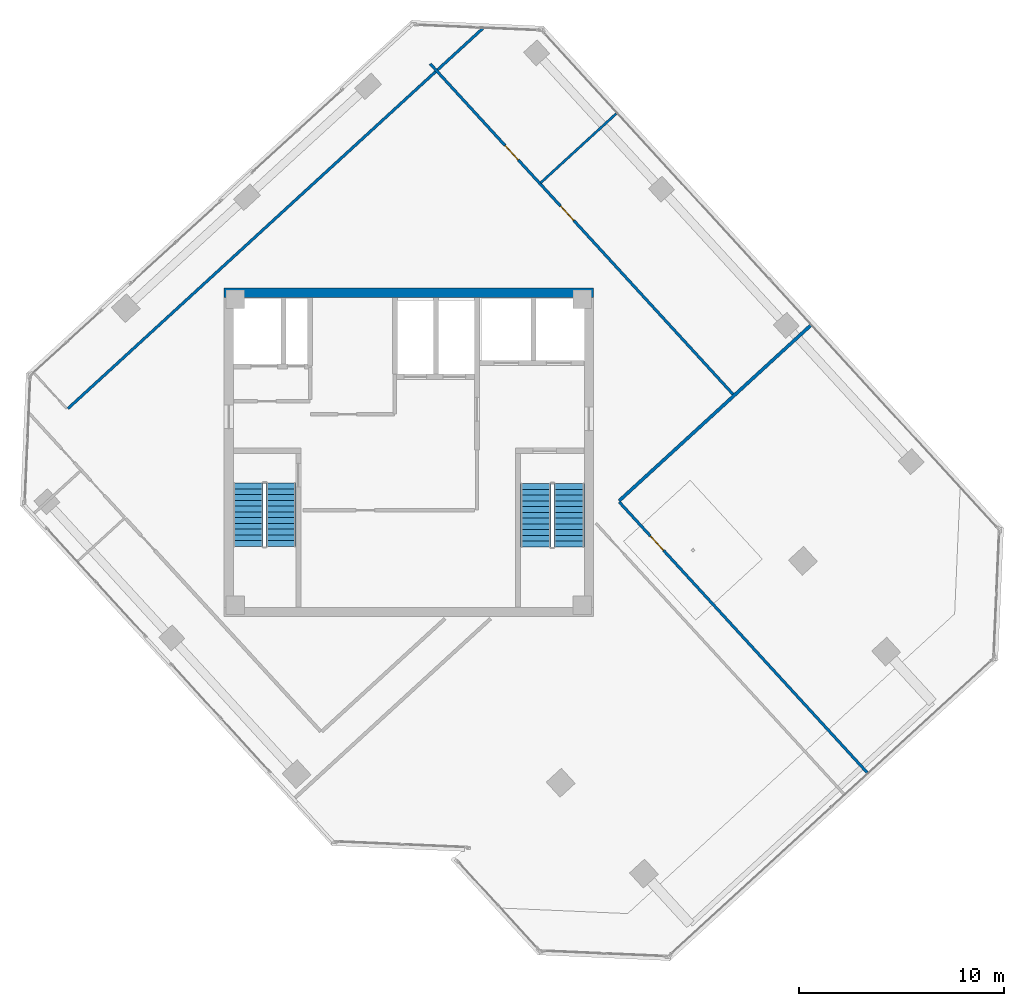
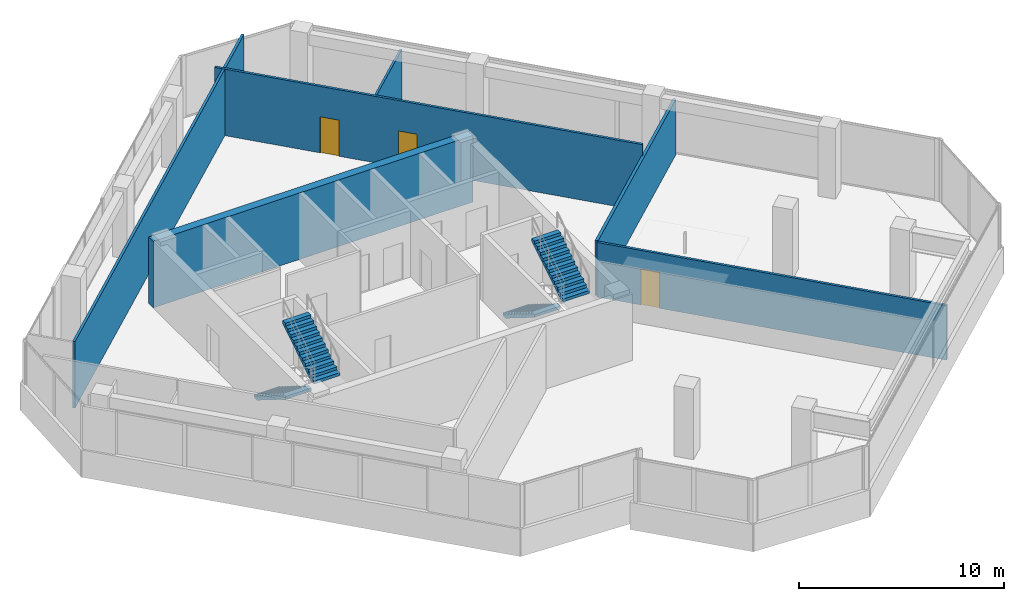
# One storey, part 14 of 18: 6 walls, 4 stair flights, 3 doors, 3 openings, 2 elements without a shape of their own.
"""IFC4 building model written with IfcOpenShell, lengths in metres."""

import ifcopenshell
import ifcopenshell.guid

model = None  # the IFC model being written
_history = None  # IfcOwnerHistory: only IFC2X3 demands one
_inside = {}  # id of a spatial element -> (the spatial element, [elements in it])
_under = {}  # id of a project, library or spatial element -> (it, [spatial elements below it])
_declared = {}  # id of a project -> (the project, [libraries it declares])
_typed = {}  # id of a type object -> (the type object, [elements of that type])
_made_of = {}  # id of a material, layer set ... -> (it, [elements and type objects made of it])


def new_model(schema):
    """Start an empty IFC model of exactly this schema.

    Asked for "IFC4X3", IfcOpenShell would pick the latest addendum, in which some entities
    have other attributes; the version numbers below select the first issue.
    IFC2X3 requires an IfcOwnerHistory on every rooted entity: one is made here for all.
    """
    global model, _history
    if schema == "IFC4X3":
        model = ifcopenshell.file(schema_version=(4, 3, 0, 0))
    else:
        model = ifcopenshell.file(schema=schema)
    _inside.clear()
    _under.clear()
    _declared.clear()
    _typed.clear()
    _made_of.clear()
    _history = None
    if model.schema == "IFC2X3":
        org = make("IfcOrganization", Name="unknown")
        user = make(
            "IfcPersonAndOrganization",
            ThePerson=make("IfcPerson", FamilyName="unknown"),
            TheOrganization=org,
        )
        app = make(
            "IfcApplication",
            ApplicationDeveloper=org,
            Version="unknown",
            ApplicationFullName="unknown",
            ApplicationIdentifier="unknown",
        )
        _history = make(
            "IfcOwnerHistory",
            OwningUser=user,
            OwningApplication=app,
            ChangeAction="ADDED",
            CreationDate=0,
        )
    return model


def make(cls, **values):
    """One entity of the class cls with the attributes given. An attribute that is None is left unset."""
    return model.create_entity(
        cls, **{name: value for name, value in values.items() if value is not None}
    )


def rooted(cls, **values):
    """An entity with a GlobalId (a new one), such as an element, a storey or a relation."""
    return make(cls, GlobalId=ifcopenshell.guid.new(), OwnerHistory=_history, **values)


def si_unit(unit_type, name, prefix=None):
    """IfcSIUnit, for example si_unit("LENGTHUNIT", "METRE", prefix="MILLI")."""
    return make("IfcSIUnit", UnitType=unit_type, Prefix=prefix, Name=name)


def assignment(units):
    """IfcUnitAssignment: the units of a project."""
    return None if units is None else make("IfcUnitAssignment", Units=units)


def point(xyz):
    """IfcCartesianPoint."""
    return None if xyz is None else make("IfcCartesianPoint", Coordinates=xyz)


def direction(xyz):
    """IfcDirection."""
    return None if xyz is None else make("IfcDirection", DirectionRatios=xyz)


def frame(location, z_axis=None, x_axis=None):
    """IfcAxis2Placement3D, a coordinate frame: its origin and axes. An axis left out is left unset."""
    return make(
        "IfcAxis2Placement3D",
        Location=point(location),
        Axis=direction(z_axis),
        RefDirection=direction(x_axis),
    )


def frame_2d(location, x_axis=None):
    """IfcAxis2Placement2D, a coordinate frame in the plane: its origin and x axis."""
    return make(
        "IfcAxis2Placement2D", Location=point(location), RefDirection=direction(x_axis)
    )


def origin():
    """The frame at (0, 0, 0) with its axes left unset."""
    return frame((0.0, 0.0, 0.0))


def place(relative_to, where):
    """IfcLocalPlacement: puts the frame where relative to a parent placement (None: the world)."""
    return make(
        "IfcLocalPlacement", PlacementRelTo=relative_to, RelativePlacement=where
    )


def context(
    kind, dimensions, precision=None, world=None, true_north=None, identifier=None
):
    """IfcGeometricRepresentationContext, for example the 3D "Model" context."""
    return make(
        "IfcGeometricRepresentationContext",
        ContextIdentifier=identifier,
        ContextType=kind,
        CoordinateSpaceDimension=dimensions,
        Precision=precision,
        WorldCoordinateSystem=world,
        TrueNorth=true_north,
    )


def subcontext(parent, identifier, kind, view, scale=None):
    """IfcGeometricRepresentationSubContext, for example "Body" below "Model"."""
    return make(
        "IfcGeometricRepresentationSubContext",
        ContextIdentifier=identifier,
        ContextType=kind,
        ParentContext=parent,
        TargetScale=scale,
        TargetView=view,
    )


def project(units=None, contexts=None):
    """IfcProject with its units and contexts."""
    return rooted(
        "IfcProject",
        Name="project",
        RepresentationContexts=contexts,
        UnitsInContext=assignment(units),
    )


def spatial(cls, under=None, at=None, **own):
    """A site, building, storey or space (cls), placed at a placement, below another one or the project."""
    s = rooted(cls, ObjectPlacement=at, **own)
    if under is not None:
        _under.setdefault(under.id(), (under, []))[1].append(s)
    return s


def polyline(points):
    """IfcPolyline through the points."""
    return make("IfcPolyline", Points=[point(p) for p in points])


def profile(cls, at=None, kind="AREA", **sizes):
    """A parametric profile (cls). Its sizes go by their IFC names, for example OverallWidth=200.0."""
    return make(cls, ProfileType=kind, Position=at, **sizes)


def rectangle(**sizes):
    """IfcRectangleProfileDef."""
    return profile("IfcRectangleProfileDef", **sizes)


def outline(outer, holes=None, kind="AREA"):
    """IfcArbitraryClosedProfileDef: a profile drawn as a closed curve; with holes, ...WithVoids."""
    if holes is None:
        return make("IfcArbitraryClosedProfileDef", ProfileType=kind, OuterCurve=outer)
    return make(
        "IfcArbitraryProfileDefWithVoids",
        ProfileType=kind,
        OuterCurve=outer,
        InnerCurves=holes,
    )


def extrude(swept, where, along, depth):
    """IfcExtrudedAreaSolid: the profile swept, set in the frame where, extruded along a direction by depth."""
    return make(
        "IfcExtrudedAreaSolid",
        SweptArea=swept,
        Position=where,
        ExtrudedDirection=direction(along),
        Depth=depth,
    )


def shape(context_of_items, identifier, shape_type, items):
    """IfcShapeRepresentation: the items that make up one representation, for example the "Body"."""
    return make(
        "IfcShapeRepresentation",
        ContextOfItems=context_of_items,
        RepresentationIdentifier=identifier,
        RepresentationType=shape_type,
        Items=items,
    )


def source(mapping_origin, context_of_items, identifier, shape_type, items):
    """IfcRepresentationMap: a shape defined once, which mapped items show again and again."""
    return make(
        "IfcRepresentationMap",
        MappingOrigin=mapping_origin,
        MappedRepresentation=shape(context_of_items, identifier, shape_type, items),
    )


def transform(
    local_origin,
    x_axis=None,
    y_axis=None,
    z_axis=None,
    scale=None,
    scale2=None,
    scale3=None,
    uniform=True,
):
    """IfcCartesianTransformationOperator3D, or its non-uniform kind. x_axis, y_axis, z_axis: its Axis1, 2, 3."""
    if uniform:
        return make(
            "IfcCartesianTransformationOperator3D",
            Axis1=direction(x_axis),
            Axis2=direction(y_axis),
            LocalOrigin=point(local_origin),
            Scale=scale,
            Axis3=direction(z_axis),
        )
    return make(
        "IfcCartesianTransformationOperator3DnonUniform",
        Axis1=direction(x_axis),
        Axis2=direction(y_axis),
        LocalOrigin=point(local_origin),
        Scale=scale,
        Axis3=direction(z_axis),
        Scale2=scale2,
        Scale3=scale3,
    )


def mapped(mapping_source, mapping_target):
    """IfcMappedItem: shows the shape of a source again, moved by a transform."""
    return make(
        "IfcMappedItem", MappingSource=mapping_source, MappingTarget=mapping_target
    )


def material(Name=None, Category=None):
    """IfcMaterial."""
    return make("IfcMaterial", Name=Name, Category=Category)


def layer(
    of_material, thickness, ventilated=None, Name=None, Category=None, Priority=None
):
    """IfcMaterialLayer: one layer of a wall or slab, of a material (None: an air gap)."""
    return make(
        "IfcMaterialLayer",
        Material=of_material,
        LayerThickness=thickness,
        IsVentilated=ventilated,
        Name=Name,
        Category=Category,
        Priority=Priority,
    )


def layer_set(layers, Name=None):
    """IfcMaterialLayerSet."""
    return make("IfcMaterialLayerSet", MaterialLayers=layers, LayerSetName=Name)


def made_of(thing, what):
    """Note that an element or type object is made of a material, layer set ...; save() writes the relation."""
    if what is not None:
        _made_of.setdefault(what.id(), (what, []))[1].append(thing)
    return thing


def type_object(cls, material=None, **own):
    """A type object (cls), such as IfcWallType, which elements share."""
    return made_of(rooted(cls, **own), material)


def element(
    cls,
    number,
    at=None,
    inside=None,
    cuts=None,
    type_object=None,
    material=None,
    context=None,
    identifier="Body",
    shape_type=None,
    held_by="IfcProductDefinitionShape",
    body=None,
    shapes=None,
    **own,
):
    """One element of the class cls, such as IfcWall. Its Tag is "e" and its number.

    at: its placement. inside: the storey or other place that contains it. cuts: it is an
    opening in that element (IfcRelVoidsElement). A single representation is given by context,
    identifier, shape_type and body (its items); several are given by shapes. held_by: the class
    of the entity that holds the representations. save() writes the other relations.
    """
    e = rooted(cls, Tag="e%d" % number, ObjectPlacement=at, **own)
    if body is not None:
        shapes = [shape(context, identifier, shape_type, body)]
    if shapes is not None:
        e.Representation = make(held_by, Representations=shapes)
    if inside is not None:
        _inside.setdefault(inside.id(), (inside, []))[1].append(e)
    if cuts is not None:
        rooted(
            "IfcRelVoidsElement", RelatingBuildingElement=cuts, RelatedOpeningElement=e
        )
    if type_object is not None:
        _typed.setdefault(type_object.id(), (type_object, []))[1].append(e)
    return made_of(e, material)


def fill(opening, filler):
    """IfcRelFillsElement: the door or window that sits in an opening."""
    return rooted(
        "IfcRelFillsElement",
        RelatingOpeningElement=opening,
        RelatedBuildingElement=filler,
    )


def aggregate(whole, parts):
    """IfcRelAggregates: a whole, such as a stair, and the parts it consists of."""
    return rooted("IfcRelAggregates", RelatingObject=whole, RelatedObjects=parts)


def save(model, path):
    """Write the relations noted so far, then the file.

    IfcRelAggregates (storeys below a building ...), IfcRelContainedInSpatialStructure (elements
    in a storey), IfcRelDefinesByType, IfcRelAssociatesMaterial and IfcRelDeclares: one each for
    every whole, place, type object, material and project.
    """
    for whole, parts in _under.values():
        aggregate(whole, parts)
    for where, things in _inside.values():
        rooted(
            "IfcRelContainedInSpatialStructure",
            RelatedElements=things,
            RelatingStructure=where,
        )
    for kind, things in _typed.values():
        rooted("IfcRelDefinesByType", RelatedObjects=things, RelatingType=kind)
    for what, things in _made_of.values():
        rooted("IfcRelAssociatesMaterial", RelatedObjects=things, RelatingMaterial=what)
    for by, libraries in _declared.values():
        rooted("IfcRelDeclares", RelatingContext=by, RelatedDefinitions=libraries)
    model.write(path)


model = new_model("IFC4")

# Units and contexts
model_context = context("Model", 3, precision=1e-05, world=origin(), true_north=direction((0.0, 1.0)))
body_context = subcontext(model_context, "Body", "Model", "MODEL_VIEW")
ifc_project = project(units=[si_unit("LENGTHUNIT", "METRE"), si_unit("AREAUNIT", "SQUARE_METRE"), si_unit("VOLUMEUNIT", "CUBIC_METRE"), si_unit("PLANEANGLEUNIT", "RADIAN"), si_unit("MASSUNIT", "GRAM", prefix="KILO")], contexts=[model_context])

# Site, building, storey
site_placement = place(None, origin())
site = spatial("IfcSite", under=ifc_project, at=site_placement, CompositionType="ELEMENT")
building_placement = place(site_placement, origin())
building = spatial("IfcBuilding", under=site, at=building_placement, Name="Torre Montelarca", CompositionType="ELEMENT")
storey_placement = place(building_placement, frame((0.0, 0.0, 258.39990234375)))
storey = spatial("IfcBuildingStorey", under=building, at=storey_placement, Name="L58", CompositionType="ELEMENT", Elevation=258.39990234375)

# Walls
ifc_material_1 = material(Name="Concrete C55/67", Category="concrete")
ifc_layer_1 = layer(ifc_material_1, 0.449951171875, Name="Concrete C55/67", Category="concrete")
ifc_layer_set_1 = layer_set([ifc_layer_1], Name="Concrete C55/67")
wall_type_1 = type_object("IfcWallType", Name="CW-SHEAR-450", PredefinedType="SHEAR", material=ifc_layer_set_1)
wall_1_placement = place(storey_placement, frame((9.0, 39.77490234375, 0.0), z_axis=(0.0, 0.0, 1.0), x_axis=(1.0, 0.0, 0.0)))
element("IfcWall", 1, at=wall_1_placement, inside=storey, type_object=wall_type_1, Name="L58 Core Shear Wall CW-N1", PredefinedType="SHEAR", context=body_context, shape_type="SweptSolid", body=[
    extrude(rectangle(XDim=18.0, YDim=0.449951171875, at=frame_2d((9.0, 0.0))), origin(), (0.0, 0.0, 1.0), 3.960205078125),
])
ifc_material_2 = material(Name="Gypsum plasterboard on steel stud", Category="steel")
ifc_layer_2 = layer(ifc_material_2, 0.159912109375, Name="Gypsum plasterboard on steel stud", Category="steel")
ifc_layer_set_2 = layer_set([ifc_layer_2], Name="Gypsum plasterboard on steel stud")
wall_type_2 = type_object("IfcWallType", Name="PW-FIRE-160", PredefinedType="PARTITIONING", material=ifc_layer_set_2)
wall_2_placement = place(storey_placement, frame((28.248291015625, 29.638671875, 0.0), z_axis=(0.0, 0.0, 1.0), x_axis=(0.73728000412, 0.675587296746, 0.0)))
element("IfcWall", 2, at=wall_2_placement, inside=storey, type_object=wall_type_2, Name="L58 Interior Partition W-L58-ECN", PredefinedType="PARTITIONING", context=body_context, shape_type="SweptSolid", body=[
    extrude(rectangle(XDim=12.639892578125, YDim=0.159912109375, at=frame_2d((6.31982421875, 0.0))), origin(), (0.0, 0.0, 1.0), 3.295166015625),
])
ifc_layer_3 = layer(ifc_material_2, 0.114990234375, Name="Gypsum plasterboard on steel stud", Category="steel")
ifc_layer_set_3 = layer_set([ifc_layer_3], Name="Gypsum plasterboard on steel stud")
wall_type_3 = type_object("IfcWallType", Name="PW-PART-115", PredefinedType="PARTITIONING", material=ifc_layer_set_3)
wall_3_placement = place(storey_placement, frame((24.415283203125, 45.115234375, 0.0), z_axis=(0.0, 0.0, 1.0), x_axis=(0.737279537385, 0.675587806101, 0.0)))
element("IfcWall", 3, at=wall_3_placement, inside=storey, type_object=wall_type_3, Name="L58 Interior Partition W-L58-NDIV-1", PredefinedType="PARTITIONING", context=body_context, shape_type="SweptSolid", body=[
    extrude(rectangle(XDim=5.010009765625, YDim=0.114990234375, at=frame_2d((2.5048828125, 0.0))), origin(), (0.0, 0.0, 1.0), 3.295166015625),
])

# Wall, openings, doors
ifc_layer_4 = layer(ifc_material_2, 0.135009765625, Name="Gypsum plasterboard on steel stud", Category="steel")
ifc_layer_set_4 = layer_set([ifc_layer_4], Name="Gypsum plasterboard on steel stud")
wall_type_4 = type_object("IfcWallType", Name="PW-PART-135", PredefinedType="PARTITIONING", material=ifc_layer_set_4)
wall_4_placement = place(storey_placement, frame((19.0419921875, 50.920166015625, 0.0), z_axis=(0.0, 0.0, 1.0), x_axis=(0.675589646996, -0.737277850523, 0.0)))
wall_4 = element("IfcWall", 4, at=wall_4_placement, inside=storey, type_object=wall_type_4, Name="L58 Interior Partition W-L58-NBOT", PredefinedType="PARTITIONING", context=body_context, shape_type="SweptSolid", body=[
    extrude(rectangle(XDim=21.8701171875, YDim=0.135009765625, at=frame_2d((10.93505859375, 0.0))), origin(), (0.0, 0.0, 1.0), 3.960205078125),
])
opening_1_placement = place(wall_4_placement, frame((5.39990234375, 0.0, 0.0)))
opening_1 = element("IfcOpeningElement", 5, at=opening_1_placement, cuts=wall_4, Name="Opening ID-095", PredefinedType="OPENING", context=body_context, shape_type="SweptSolid", body=[
    extrude(rectangle(XDim=0.949951171875, YDim=2.14990234375, at=frame_2d((0.47509765625, 1.074951171875))), frame((0.0, 0.07763671875, 0.0), z_axis=(0.0, -1.0, 0.0), x_axis=(1.0, 0.0, 0.0)), (0.0, 0.0, 1.0), 0.155029296875),
])
opening_2_placement = place(wall_4_placement, frame((9.39990234375, 0.0, 0.0)))
opening_2 = element("IfcOpeningElement", 6, at=opening_2_placement, cuts=wall_4, Name="Opening ID-095", PredefinedType="OPENING", context=body_context, shape_type="SweptSolid", body=[
    extrude(rectangle(XDim=0.949951171875, YDim=2.14990234375, at=frame_2d((0.47509765625, 1.074951171875))), frame((0.0, 0.07763671875, 0.0), z_axis=(0.0, -1.0, 0.0), x_axis=(1.0, 0.0, 0.0)), (0.0, 0.0, 1.0), 0.155029296875),
])
ifc_material_3 = material(Name="Hardwood acoustic timber veneer", Category="wood")
door_type = type_object("IfcDoorType", Name="DR-INT-095", OperationType="NOTDEFINED", PredefinedType="DOOR", material=ifc_material_3)
shared_shape = source(origin(), body_context, "Body", "SweptSolid", [
    extrude(rectangle(XDim=0.949951171875, YDim=2.14990234375, at=frame_2d((0.47509765625, 1.074951171875))), frame((0.0, 0.02490234375, 0.0), z_axis=(0.0, -1.0, 0.0), x_axis=(1.0, 0.0, 0.0)), (0.0, 0.0, 1.0), 0.050048828125),
])
door_1_placement = place(opening_1_placement, origin())
door_1 = element("IfcDoor", 7, at=door_1_placement, inside=storey, type_object=door_type, Name="L58 Interior Door 07", OperationType="SINGLE_SWING_LEFT", OverallHeight=2.14990234375, OverallWidth=0.949951171875, PredefinedType="DOOR", context=body_context, shape_type="MappedRepresentation", body=[
    mapped(shared_shape, transform((0.0, 0.0, 0.0), scale=1.0)),
])
fill(opening_1, door_1)
door_2_placement = place(opening_2_placement, origin())
door_2 = element("IfcDoor", 8, at=door_2_placement, inside=storey, type_object=door_type, Name="L58 Interior Door 08", OperationType="SINGLE_SWING_RIGHT", OverallHeight=2.14990234375, OverallWidth=0.949951171875, PredefinedType="DOOR", context=body_context, shape_type="MappedRepresentation", body=[
    mapped(shared_shape, transform((0.0, 0.0, 0.0), scale=1.0)),
])
fill(opening_2, door_2)

# Wall
wall_5_placement = place(storey_placement, frame((1.392578125, 34.12353515625, 0.0), z_axis=(0.0, 0.0, 1.0), x_axis=(0.737274323436, 0.675593496121, 0.0)))
element("IfcWall", 9, at=wall_5_placement, inside=storey, type_object=wall_type_4, Name="L58 Interior Partition W-L58-WPKE", PredefinedType="PARTITIONING", context=body_context, shape_type="SweptSolid", body=[
    extrude(rectangle(XDim=27.402099609375, YDim=0.135009765625, at=frame_2d((13.701171875, 0.0))), origin(), (0.0, 0.0, 1.0), 3.960205078125),
])

# Wall, opening, door
wall_6_placement = place(storey_placement, frame((28.24560546875, 29.58203125, 0.0), z_axis=(0.0, 0.0, 1.0), x_axis=(0.67559539026, -0.737272587758, 0.0)))
wall_6 = element("IfcWall", 10, at=wall_6_placement, inside=storey, type_object=wall_type_4, Name="L58 Interior Partition W-L58-NE-S", PredefinedType="PARTITIONING", context=body_context, shape_type="SweptSolid", body=[
    extrude(rectangle(XDim=17.8798828125, YDim=0.135009765625, at=frame_2d((8.93994140625, 0.0))), origin(), (0.0, 0.0, 1.0), 3.252685546875),
])
opening_3_placement = place(wall_6_placement, frame((2.25, 0.0, 0.0)))
opening_3 = element("IfcOpeningElement", 11, at=opening_3_placement, cuts=wall_6, Name="Opening ID-095", PredefinedType="OPENING", context=body_context, shape_type="SweptSolid", body=[
    extrude(rectangle(XDim=0.949951171875, YDim=2.14990234375, at=frame_2d((0.47509765625, 1.074951171875))), frame((0.0, 0.07763671875, 0.0), z_axis=(0.0, -1.0, 0.0), x_axis=(1.0, 0.0, 0.0)), (0.0, 0.0, 1.0), 0.155029296875),
])
door_3_placement = place(opening_3_placement, origin())
door_3 = element("IfcDoor", 12, at=door_3_placement, inside=storey, type_object=door_type, Name="L58 Interior Door 10", OperationType="SINGLE_SWING_LEFT", OverallHeight=2.14990234375, OverallWidth=0.949951171875, PredefinedType="DOOR", context=body_context, shape_type="MappedRepresentation", body=[
    mapped(shared_shape, transform((0.0, 0.0, 0.0), scale=1.0)),
])
fill(opening_3, door_3)

# Stair, stair flights
ifc_material_4 = material(Name="Concrete C40/50", Category="concrete")
stair_type_1 = type_object("IfcStairType", Name="ST-CORE-ST1", PredefinedType="HALF_TURN_STAIR", material=ifc_material_4)
stair_1_placement = place(storey_placement, origin())
stair_1 = element("IfcStair", 13, at=stair_1_placement, inside=storey, type_object=stair_type_1, Name="L58 Protected Exit Stair ST1", PredefinedType="HALF_TURN_STAIR")
stair_flight_type_1 = type_object("IfcStairFlightType", Name="SFL-CORE-ST1", PredefinedType="STRAIGHT", material=ifc_material_4)
stair_flight_1_placement = place(storey_placement, frame((10.175048828125, 30.5, 0.0), z_axis=(0.0, 0.0, 1.0), x_axis=(0.0, -1.0, 0.0)))
stair_flight_1 = element("IfcStairFlight", 14, at=stair_flight_1_placement, type_object=stair_flight_type_1, Name="ST1 flight 1", NumberOfRisers=12, NumberOfTreads=11, PredefinedType="STRAIGHT", RiserHeight=0.175, TreadLength=0.28, context=body_context, shape_type="SweptSolid", body=[
    extrude(outline(polyline([(0.0, 0.0), (0.0, 0.175048828125), (0.280029296875, 0.175048828125), (0.280029296875, 0.35009765625), (0.56005859375, 0.35009765625), (0.56005859375, 0.52490234375), (0.840087890625, 0.52490234375), (0.840087890625, 0.699951171875), (1.1201171875, 0.699951171875), (1.1201171875, 0.875), (1.39990234375, 0.875), (1.39990234375, 1.050048828125), (1.679931640625, 1.050048828125), (1.679931640625, 1.22509765625), (1.9599609375, 1.22509765625), (1.9599609375, 1.39990234375), (2.239990234375, 1.39990234375), (2.239990234375, 1.574951171875), (2.52001953125, 1.574951171875), (2.52001953125, 1.75), (2.800048828125, 1.75), (2.800048828125, 1.925048828125), (3.080078125, 1.925048828125), (3.080078125, 2.10009765625), (3.080078125, 1.748291015625), (0.28271484375, 0.0), (0.0, 0.0)])), frame((0.0, 0.72509765625, 0.0), z_axis=(0.0, -1.0, 0.0), x_axis=(1.0, 0.0, 0.0)), (0.0, 0.0, 1.0), 1.449951171875),
])
stair_flight_2_placement = place(storey_placement, frame((11.77490234375, 27.419921875, 2.10009765625), z_axis=(0.0, 0.0, 1.0), x_axis=(0.0, 1.0, 0.0)))
stair_flight_2 = element("IfcStairFlight", 15, at=stair_flight_2_placement, type_object=stair_flight_type_1, Name="ST1 flight 2", NumberOfRisers=12, NumberOfTreads=11, PredefinedType="STRAIGHT", RiserHeight=0.175, TreadLength=0.28, context=body_context, shape_type="SweptSolid", body=[
    extrude(outline(polyline([(0.0, 0.0), (0.0, 0.175048828125), (0.280029296875, 0.175048828125), (0.280029296875, 0.35009765625), (0.56005859375, 0.35009765625), (0.56005859375, 0.52490234375), (0.840087890625, 0.52490234375), (0.840087890625, 0.699951171875), (1.1201171875, 0.699951171875), (1.1201171875, 0.875), (1.39990234375, 0.875), (1.39990234375, 1.050048828125), (1.679931640625, 1.050048828125), (1.679931640625, 1.22509765625), (1.9599609375, 1.22509765625), (1.9599609375, 1.39990234375), (2.239990234375, 1.39990234375), (2.239990234375, 1.574951171875), (2.52001953125, 1.574951171875), (2.52001953125, 1.75), (2.800048828125, 1.75), (2.800048828125, 1.925048828125), (3.080078125, 1.925048828125), (3.080078125, 2.10009765625), (3.080078125, 1.748291015625), (0.28271484375, 0.0), (0.0, 0.0)])), frame((0.0, 0.72509765625, 0.0), z_axis=(0.0, -1.0, 0.0), x_axis=(1.0, 0.0, 0.0)), (0.0, 0.0, 1.0), 1.449951171875),
])
aggregate(stair_1, [stair_flight_1, stair_flight_2])

stair_type_2 = type_object("IfcStairType", Name="ST-CORE-ST2", PredefinedType="HALF_TURN_STAIR", material=ifc_material_4)
stair_2_placement = place(storey_placement, origin())
stair_2 = element("IfcStair", 16, at=stair_2_placement, inside=storey, type_object=stair_type_2, Name="L58 Protected Exit Stair ST2", PredefinedType="HALF_TURN_STAIR")
stair_flight_type_2 = type_object("IfcStairFlightType", Name="SFL-CORE-ST2", PredefinedType="STRAIGHT", material=ifc_material_4)
stair_flight_3_placement = place(storey_placement, frame((24.179931640625, 30.469970703125, 0.0), z_axis=(0.0, 0.0, 1.0), x_axis=(0.0, -1.0, 0.0)))
stair_flight_3 = element("IfcStairFlight", 17, at=stair_flight_3_placement, type_object=stair_flight_type_2, Name="ST2 flight 1", NumberOfRisers=12, NumberOfTreads=11, PredefinedType="STRAIGHT", RiserHeight=0.175, TreadLength=0.28, context=body_context, shape_type="SweptSolid", body=[
    extrude(outline(polyline([(0.0, 0.0), (0.0, 0.175048828125), (0.280029296875, 0.175048828125), (0.280029296875, 0.35009765625), (0.56005859375, 0.35009765625), (0.56005859375, 0.52490234375), (0.840087890625, 0.52490234375), (0.840087890625, 0.699951171875), (1.1201171875, 0.699951171875), (1.1201171875, 0.875), (1.39990234375, 0.875), (1.39990234375, 1.050048828125), (1.679931640625, 1.050048828125), (1.679931640625, 1.22509765625), (1.9599609375, 1.22509765625), (1.9599609375, 1.39990234375), (2.239990234375, 1.39990234375), (2.239990234375, 1.574951171875), (2.52001953125, 1.574951171875), (2.52001953125, 1.75), (2.800048828125, 1.75), (2.800048828125, 1.925048828125), (3.080078125, 1.925048828125), (3.080078125, 2.10009765625), (3.080078125, 1.748291015625), (0.28271484375, 0.0), (0.0, 0.0)])), frame((0.0, 0.739990234375, 0.0), z_axis=(0.0, -1.0, 0.0), x_axis=(1.0, 0.0, 0.0)), (0.0, 0.0, 1.0), 1.47998046875),
])
stair_flight_4_placement = place(storey_placement, frame((25.81005859375, 27.389892578125, 2.10009765625), z_axis=(0.0, 0.0, 1.0), x_axis=(0.0, 1.0, 0.0)))
stair_flight_4 = element("IfcStairFlight", 18, at=stair_flight_4_placement, type_object=stair_flight_type_2, Name="ST2 flight 2", NumberOfRisers=12, NumberOfTreads=11, PredefinedType="STRAIGHT", RiserHeight=0.175, TreadLength=0.28, context=body_context, shape_type="SweptSolid", body=[
    extrude(outline(polyline([(0.0, 0.0), (0.0, 0.175048828125), (0.280029296875, 0.175048828125), (0.280029296875, 0.35009765625), (0.56005859375, 0.35009765625), (0.56005859375, 0.52490234375), (0.840087890625, 0.52490234375), (0.840087890625, 0.699951171875), (1.1201171875, 0.699951171875), (1.1201171875, 0.875), (1.39990234375, 0.875), (1.39990234375, 1.050048828125), (1.679931640625, 1.050048828125), (1.679931640625, 1.22509765625), (1.9599609375, 1.22509765625), (1.9599609375, 1.39990234375), (2.239990234375, 1.39990234375), (2.239990234375, 1.574951171875), (2.52001953125, 1.574951171875), (2.52001953125, 1.75), (2.800048828125, 1.75), (2.800048828125, 1.925048828125), (3.080078125, 1.925048828125), (3.080078125, 2.10009765625), (3.080078125, 1.748291015625), (0.28271484375, 0.0), (0.0, 0.0)])), frame((0.0, 0.739990234375, 0.0), z_axis=(0.0, -1.0, 0.0), x_axis=(1.0, 0.0, 0.0)), (0.0, 0.0, 1.0), 1.47998046875),
])
aggregate(stair_2, [stair_flight_3, stair_flight_4])

save(model, "model.ifc")
